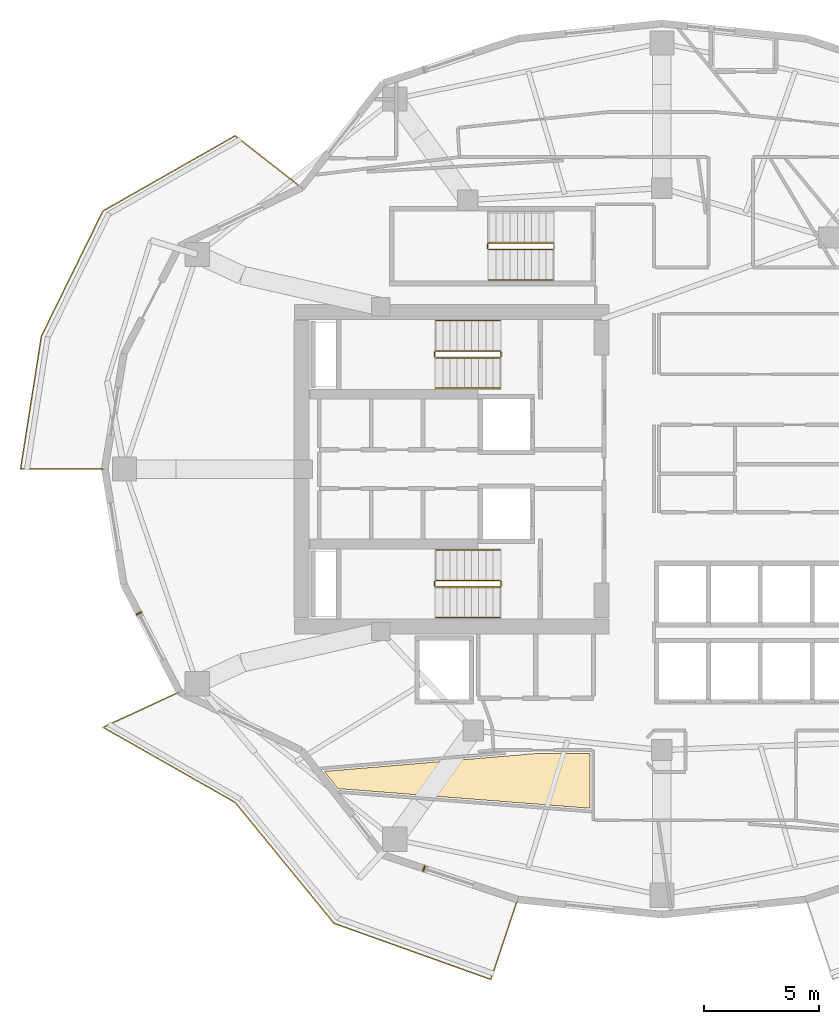
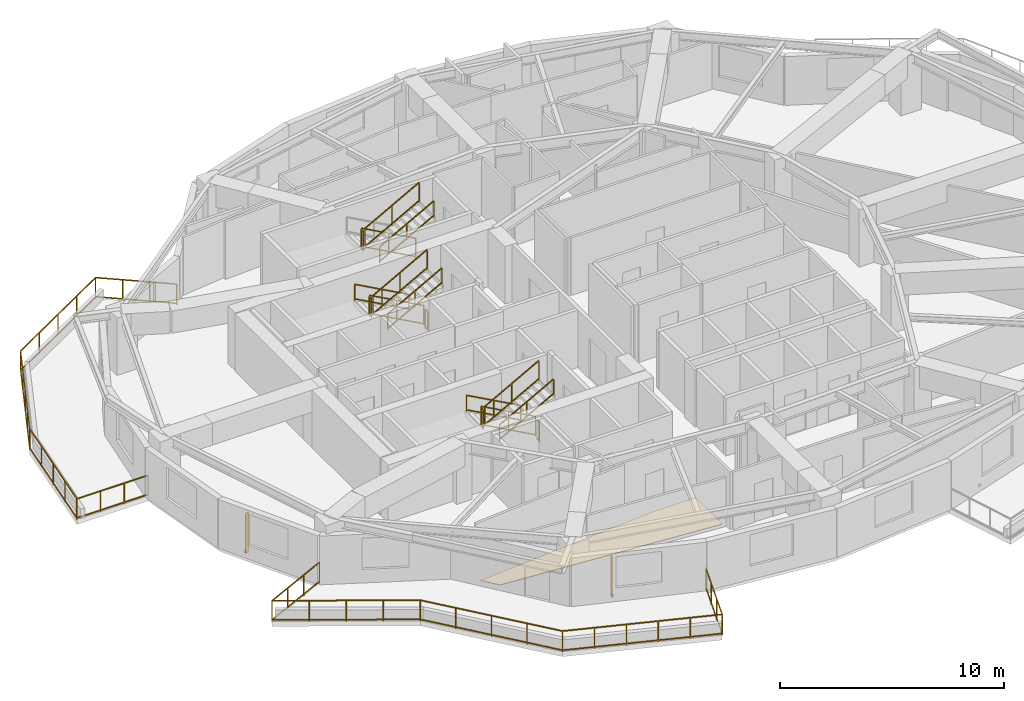
# One storey, part 9 of 12: 18 railings, 2 shading devices, 1 covering.
"""IFC4 building model written with IfcOpenShell, lengths in metres."""

from ifc_helpers import new_model, si_unit, direction, frame, origin, origin_2d, place, context, subcontext, project, spatial, polyline, rectangle, outline, extrude, material, layer, layer_set, type_object, element, save


model = new_model("IFC4")

# Units and contexts
model_context = context("Model", 3, precision=1e-05, world=origin(), true_north=direction((0.0, 1.0)))
body_context = subcontext(model_context, "Body", "Model", "MODEL_VIEW")
ifc_project = project(units=[si_unit("LENGTHUNIT", "METRE"), si_unit("AREAUNIT", "SQUARE_METRE"), si_unit("VOLUMEUNIT", "CUBIC_METRE"), si_unit("PLANEANGLEUNIT", "RADIAN"), si_unit("MASSUNIT", "GRAM", prefix="KILO")], contexts=[model_context])

# Site, building, storey
site_placement = place(None, origin())
site = spatial("IfcSite", under=ifc_project, at=site_placement, CompositionType="ELEMENT")
building_placement = place(site_placement, origin())
building = spatial("IfcBuilding", under=site, at=building_placement, Name="Kolvaren Gate Tower and Convention Centre", CompositionType="ELEMENT")
storey_placement = place(building_placement, frame((0.0, 0.0, 139.300048828125)))
storey = spatial("IfcBuildingStorey", under=building, at=storey_placement, Name="L35", CompositionType="ELEMENT", Elevation=139.300048828125)

# Covering
ifc_material_1 = material(Name="Honed Sabana Limestone Terrazzo Flooring 30 mm", Category="masonry")
ifc_layer = layer(ifc_material_1, 0.030029296875)
ifc_layer_set = layer_set([ifc_layer], Name="Honed Sabana Limestone Terrazzo Flooring 30 mm")
covering_type = type_object("IfcCoveringType", Name="ARCH-COV-FLR-30", PredefinedType="FLOORING", material=ifc_layer_set)
covering_placement = place(storey_placement, origin())
element("IfcCovering", 1, at=covering_placement, inside=storey, type_object=covering_type, Name="Hotel Sky Banquet Salon Interior Finish Flooring", PredefinedType="FLOORING", context=body_context, shape_type="SweptSolid", body=[
    extrude(outline(polyline([(16.052978515625, 13.126953125), (15.467041015625, 13.875), (24.77587890625, 14.659912109375), (27.010009765625, 14.659912109375), (27.010009765625, 12.27392578125), (16.052978515625, 13.126953125)])), origin(), (0.0, 0.0, 1.0), 0.030029296875),
])

# Railings
ifc_material_2 = material(Name="Brushed Stainless Steel Grade 316L", Category="steel")
railing_type_1 = type_object("IfcRailingType", Name="ARCH-RL-GUARD-1150", PredefinedType="GUARDRAIL", material=ifc_material_2)
railing_1_placement = place(storey_placement, frame((23.10009765625, 32.1298828125, 0.169921875)))
element("IfcRailing", 2, at=railing_1_placement, inside=storey, type_object=railing_type_1, Name="L35 ST-T1 stair guard 1", PredefinedType="GUARDRAIL", context=body_context, shape_type="SweptSolid", body=[
    extrude(rectangle(XDim=0.048095703125, YDim=0.048095703125, at=origin_2d()), frame((0.0, 0.0, 1.076171875), z_axis=(-0.876811365212, 0.0, 0.480834513982), x_axis=(0.0, -1.0, 0.0)), (0.0, 0.0, 1.0), 3.18212890625),
    extrude(rectangle(XDim=0.048095703125, YDim=0.048095703125, at=origin_2d()), frame((0.0, 0.0, 0.083984375), z_axis=(-0.876811365212, 0.0, 0.480834513982), x_axis=(0.0, -1.0, 0.0)), (0.0, 0.0, 1.0), 3.18212890625),
    extrude(rectangle(XDim=0.0419921875, YDim=0.0419921875, at=origin_2d()), origin(), (0.0, 0.0, 1.0), 1.050048828125),
    extrude(rectangle(XDim=0.0419921875, YDim=0.0419921875, at=origin_2d()), frame((-2.7900390625, 0.0, 1.530029296875)), (0.0, 0.0, 1.0), 1.050048828125),
    extrude(rectangle(XDim=0.0419921875, YDim=0.0419921875, at=origin_2d()), frame((-1.39501953125, 0.0, 0.76513671875)), (0.0, 0.0, 1.0), 1.050048828125),
])
railing_2_placement = place(storey_placement, frame((20.260009765625, 32.080078125, 1.699951171875)))
element("IfcRailing", 3, at=railing_2_placement, inside=storey, type_object=railing_type_1, Name="L35 ST-T1 stair guard 2", PredefinedType="GUARDRAIL", context=body_context, shape_type="SweptSolid", body=[
    extrude(rectangle(XDim=0.048095703125, YDim=0.048095703125, at=origin_2d()), frame((0.0, 0.0, 1.076171875), z_axis=(0.0, -1.0, 0.0), x_axis=(1.0, 0.0, 0.0)), (0.0, 0.0, 1.0), 0.2001953125),
    extrude(rectangle(XDim=0.048095703125, YDim=0.048095703125, at=origin_2d()), frame((0.0, 0.0, 0.083984375), z_axis=(0.0, -1.0, 0.0), x_axis=(1.0, 0.0, 0.0)), (0.0, 0.0, 1.0), 0.2001953125),
    extrude(rectangle(XDim=0.0419921875, YDim=0.0419921875, at=origin_2d()), origin(), (0.0, 0.0, 1.0), 1.050048828125),
    extrude(rectangle(XDim=0.0419921875, YDim=0.0419921875, at=origin_2d()), frame((0.0, -0.2001953125, 0.0)), (0.0, 0.0, 1.0), 1.050048828125),
])
railing_3_placement = place(storey_placement, frame((20.31005859375, 31.830078125, 1.869873046875)))
element("IfcRailing", 4, at=railing_3_placement, inside=storey, type_object=railing_type_1, Name="L35 ST-T1 stair guard 3", PredefinedType="GUARDRAIL", context=body_context, shape_type="SweptSolid", body=[
    extrude(rectangle(XDim=0.048095703125, YDim=0.048095703125, at=origin_2d()), frame((0.0, 0.0, 1.076171875), z_axis=(0.876811365212, 0.0, 0.480834513982), x_axis=(0.0, 1.0, 0.0)), (0.0, 0.0, 1.0), 3.18212890625),
    extrude(rectangle(XDim=0.048095703125, YDim=0.048095703125, at=origin_2d()), frame((0.0, 0.0, 0.083984375), z_axis=(0.876811365212, 0.0, 0.480834513982), x_axis=(0.0, 1.0, 0.0)), (0.0, 0.0, 1.0), 3.18212890625),
    extrude(rectangle(XDim=0.0419921875, YDim=0.0419921875, at=origin_2d()), origin(), (0.0, 0.0, 1.0), 1.050048828125),
    extrude(rectangle(XDim=0.0419921875, YDim=0.0419921875, at=origin_2d()), frame((2.7900390625, 0.0, 1.530029296875)), (0.0, 0.0, 1.0), 1.050048828125),
    extrude(rectangle(XDim=0.0419921875, YDim=0.0419921875, at=origin_2d()), frame((1.39501953125, 0.0, 0.76513671875)), (0.0, 0.0, 1.0), 1.050048828125),
])
railing_4_placement = place(storey_placement, frame((23.14990234375, 32.080078125, 0.0)))
element("IfcRailing", 5, at=railing_4_placement, inside=storey, type_object=railing_type_1, Name="L35 ST-T1 stair guard 4", PredefinedType="GUARDRAIL", context=body_context, shape_type="SweptSolid", body=[
    extrude(rectangle(XDim=0.048095703125, YDim=0.048095703125, at=origin_2d()), frame((0.0, 0.0, 1.076171875), z_axis=(0.0, -1.0, 0.0), x_axis=(1.0, 0.0, 0.0)), (0.0, 0.0, 1.0), 0.2001953125),
    extrude(rectangle(XDim=0.048095703125, YDim=0.048095703125, at=origin_2d()), frame((0.0, 0.0, 0.083984375), z_axis=(0.0, -1.0, 0.0), x_axis=(1.0, 0.0, 0.0)), (0.0, 0.0, 1.0), 0.2001953125),
    extrude(rectangle(XDim=0.0419921875, YDim=0.0419921875, at=origin_2d()), origin(), (0.0, 0.0, 1.0), 1.050048828125),
    extrude(rectangle(XDim=0.0419921875, YDim=0.0419921875, at=origin_2d()), frame((0.0, -0.2001953125, 0.0)), (0.0, 0.0, 1.0), 1.050048828125),
])
railing_5_placement = place(storey_placement, frame((23.10009765625, 22.169921875, 0.169921875)))
element("IfcRailing", 6, at=railing_5_placement, inside=storey, type_object=railing_type_1, Name="L35 ST-T2 stair guard 1", PredefinedType="GUARDRAIL", context=body_context, shape_type="SweptSolid", body=[
    extrude(rectangle(XDim=0.048095703125, YDim=0.048095703125, at=origin_2d()), frame((0.0, 0.0, 1.076171875), z_axis=(-0.876811365212, 0.0, 0.480834513982), x_axis=(0.0, -1.0, 0.0)), (0.0, 0.0, 1.0), 3.18212890625),
    extrude(rectangle(XDim=0.048095703125, YDim=0.048095703125, at=origin_2d()), frame((0.0, 0.0, 0.083984375), z_axis=(-0.876811365212, 0.0, 0.480834513982), x_axis=(0.0, -1.0, 0.0)), (0.0, 0.0, 1.0), 3.18212890625),
    extrude(rectangle(XDim=0.0419921875, YDim=0.0419921875, at=origin_2d()), origin(), (0.0, 0.0, 1.0), 1.050048828125),
    extrude(rectangle(XDim=0.0419921875, YDim=0.0419921875, at=origin_2d()), frame((-2.7900390625, 0.0, 1.530029296875)), (0.0, 0.0, 1.0), 1.050048828125),
    extrude(rectangle(XDim=0.0419921875, YDim=0.0419921875, at=origin_2d()), frame((-1.39501953125, 0.0, 0.76513671875)), (0.0, 0.0, 1.0), 1.050048828125),
])
railing_6_placement = place(storey_placement, frame((20.260009765625, 22.1201171875, 1.699951171875)))
element("IfcRailing", 7, at=railing_6_placement, inside=storey, type_object=railing_type_1, Name="L35 ST-T2 stair guard 2", PredefinedType="GUARDRAIL", context=body_context, shape_type="SweptSolid", body=[
    extrude(rectangle(XDim=0.048095703125, YDim=0.048095703125, at=origin_2d()), frame((0.0, 0.0, 1.076171875), z_axis=(0.0, -1.0, 0.0), x_axis=(1.0, 0.0, 0.0)), (0.0, 0.0, 1.0), 0.2001953125),
    extrude(rectangle(XDim=0.048095703125, YDim=0.048095703125, at=origin_2d()), frame((0.0, 0.0, 0.083984375), z_axis=(0.0, -1.0, 0.0), x_axis=(1.0, 0.0, 0.0)), (0.0, 0.0, 1.0), 0.2001953125),
    extrude(rectangle(XDim=0.0419921875, YDim=0.0419921875, at=origin_2d()), origin(), (0.0, 0.0, 1.0), 1.050048828125),
    extrude(rectangle(XDim=0.0419921875, YDim=0.0419921875, at=origin_2d()), frame((0.0, -0.2001953125, 0.0)), (0.0, 0.0, 1.0), 1.050048828125),
])
railing_7_placement = place(storey_placement, frame((20.31005859375, 21.8701171875, 1.869873046875)))
element("IfcRailing", 8, at=railing_7_placement, inside=storey, type_object=railing_type_1, Name="L35 ST-T2 stair guard 3", PredefinedType="GUARDRAIL", context=body_context, shape_type="SweptSolid", body=[
    extrude(rectangle(XDim=0.048095703125, YDim=0.048095703125, at=origin_2d()), frame((0.0, 0.0, 1.076171875), z_axis=(0.876811365212, 0.0, 0.480834513982), x_axis=(0.0, 1.0, 0.0)), (0.0, 0.0, 1.0), 3.18212890625),
    extrude(rectangle(XDim=0.048095703125, YDim=0.048095703125, at=origin_2d()), frame((0.0, 0.0, 0.083984375), z_axis=(0.876811365212, 0.0, 0.480834513982), x_axis=(0.0, 1.0, 0.0)), (0.0, 0.0, 1.0), 3.18212890625),
    extrude(rectangle(XDim=0.0419921875, YDim=0.0419921875, at=origin_2d()), origin(), (0.0, 0.0, 1.0), 1.050048828125),
    extrude(rectangle(XDim=0.0419921875, YDim=0.0419921875, at=origin_2d()), frame((2.7900390625, 0.0, 1.530029296875)), (0.0, 0.0, 1.0), 1.050048828125),
    extrude(rectangle(XDim=0.0419921875, YDim=0.0419921875, at=origin_2d()), frame((1.39501953125, 0.0, 0.76513671875)), (0.0, 0.0, 1.0), 1.050048828125),
])
railing_8_placement = place(storey_placement, frame((23.14990234375, 22.1201171875, 0.0)))
element("IfcRailing", 9, at=railing_8_placement, inside=storey, type_object=railing_type_1, Name="L35 ST-T2 stair guard 4", PredefinedType="GUARDRAIL", context=body_context, shape_type="SweptSolid", body=[
    extrude(rectangle(XDim=0.048095703125, YDim=0.048095703125, at=origin_2d()), frame((0.0, 0.0, 1.076171875), z_axis=(0.0, -1.0, 0.0), x_axis=(1.0, 0.0, 0.0)), (0.0, 0.0, 1.0), 0.2001953125),
    extrude(rectangle(XDim=0.048095703125, YDim=0.048095703125, at=origin_2d()), frame((0.0, 0.0, 0.083984375), z_axis=(0.0, -1.0, 0.0), x_axis=(1.0, 0.0, 0.0)), (0.0, 0.0, 1.0), 0.2001953125),
    extrude(rectangle(XDim=0.0419921875, YDim=0.0419921875, at=origin_2d()), origin(), (0.0, 0.0, 1.0), 1.050048828125),
    extrude(rectangle(XDim=0.0419921875, YDim=0.0419921875, at=origin_2d()), frame((0.0, -0.2001953125, 0.0)), (0.0, 0.0, 1.0), 1.050048828125),
])
railing_9_placement = place(storey_placement, frame((25.39990234375, 36.830078125, 0.169921875)))
element("IfcRailing", 10, at=railing_9_placement, inside=storey, type_object=railing_type_1, Name="L35 ST-T3 stair guard 1", PredefinedType="GUARDRAIL", context=body_context, shape_type="SweptSolid", body=[
    extrude(rectangle(XDim=0.048095703125, YDim=0.048095703125, at=origin_2d()), frame((0.0, 0.0, 1.076171875), z_axis=(-0.8767936245, 0.0, 0.480866863109), x_axis=(0.0, -1.0, 0.0)), (0.0, 0.0, 1.0), 3.181884765625),
    extrude(rectangle(XDim=0.048095703125, YDim=0.048095703125, at=origin_2d()), frame((0.0, 0.0, 0.083984375), z_axis=(-0.8767936245, 0.0, 0.480866863109), x_axis=(0.0, -1.0, 0.0)), (0.0, 0.0, 1.0), 3.181884765625),
    extrude(rectangle(XDim=0.0419921875, YDim=0.0419921875, at=origin_2d()), origin(), (0.0, 0.0, 1.0), 1.050048828125),
    extrude(rectangle(XDim=0.0419921875, YDim=0.0419921875, at=origin_2d()), frame((-2.789794921875, 0.0, 1.530029296875)), (0.0, 0.0, 1.0), 1.050048828125),
    extrude(rectangle(XDim=0.0419921875, YDim=0.0419921875, at=origin_2d()), frame((-1.39501953125, 0.0, 0.76513671875)), (0.0, 0.0, 1.0), 1.050048828125),
])
railing_10_placement = place(storey_placement, frame((22.56005859375, 36.780029296875, 1.699951171875)))
element("IfcRailing", 11, at=railing_10_placement, inside=storey, type_object=railing_type_1, Name="L35 ST-T3 stair guard 2", PredefinedType="GUARDRAIL", context=body_context, shape_type="SweptSolid", body=[
    extrude(rectangle(XDim=0.048095703125, YDim=0.048095703125, at=origin_2d()), frame((0.0, 0.0, 1.076171875), z_axis=(0.0, -1.0, 0.0), x_axis=(1.0, 0.0, 0.0)), (0.0, 0.0, 1.0), 0.199951171875),
    extrude(rectangle(XDim=0.048095703125, YDim=0.048095703125, at=origin_2d()), frame((0.0, 0.0, 0.083984375), z_axis=(0.0, -1.0, 0.0), x_axis=(1.0, 0.0, 0.0)), (0.0, 0.0, 1.0), 0.199951171875),
    extrude(rectangle(XDim=0.0419921875, YDim=0.0419921875, at=origin_2d()), origin(), (0.0, 0.0, 1.0), 1.050048828125),
    extrude(rectangle(XDim=0.0419921875, YDim=0.0419921875, at=origin_2d()), frame((0.0, -0.199951171875, 0.0)), (0.0, 0.0, 1.0), 1.050048828125),
])
railing_11_placement = place(storey_placement, frame((22.610107421875, 36.530029296875, 1.869873046875)))
element("IfcRailing", 12, at=railing_11_placement, inside=storey, type_object=railing_type_1, Name="L35 ST-T3 stair guard 3", PredefinedType="GUARDRAIL", context=body_context, shape_type="SweptSolid", body=[
    extrude(rectangle(XDim=0.048095703125, YDim=0.048095703125, at=origin_2d()), frame((0.0, 0.0, 1.076171875), z_axis=(0.8767936245, 0.0, 0.480866863109), x_axis=(0.0, 1.0, 0.0)), (0.0, 0.0, 1.0), 3.181884765625),
    extrude(rectangle(XDim=0.048095703125, YDim=0.048095703125, at=origin_2d()), frame((0.0, 0.0, 0.083984375), z_axis=(0.8767936245, 0.0, 0.480866863109), x_axis=(0.0, 1.0, 0.0)), (0.0, 0.0, 1.0), 3.181884765625),
    extrude(rectangle(XDim=0.0419921875, YDim=0.0419921875, at=origin_2d()), origin(), (0.0, 0.0, 1.0), 1.050048828125),
    extrude(rectangle(XDim=0.0419921875, YDim=0.0419921875, at=origin_2d()), frame((2.789794921875, 0.0, 1.530029296875)), (0.0, 0.0, 1.0), 1.050048828125),
    extrude(rectangle(XDim=0.0419921875, YDim=0.0419921875, at=origin_2d()), frame((1.39501953125, 0.0, 0.76513671875)), (0.0, 0.0, 1.0), 1.050048828125),
])
railing_12_placement = place(storey_placement, frame((14.481201171875, 39.222900390625, 0.0)))
element("IfcRailing", 13, at=railing_12_placement, inside=storey, type_object=railing_type_1, Name="Tower L35 Terrace Perimeter Guardrail GR-2", PredefinedType="GUARDRAIL", context=body_context, shape_type="SweptSolid", body=[
    extrude(rectangle(XDim=0.048095703125, YDim=0.048095703125, at=origin_2d()), frame((-0.022216796875, 0.017333984375, 1.1259765625), z_axis=(-0.787963688807, 0.615721710776, 0.0), x_axis=(-0.615721710776, -0.787963688807, 0.0)), (0.0, 0.0, 1.0), 3.603759765625),
    extrude(rectangle(XDim=0.048095703125, YDim=0.048095703125, at=origin_2d()), frame((-0.022216796875, 0.017333984375, 0.083984375), z_axis=(-0.787963688807, 0.615721710776, 0.0), x_axis=(-0.615721710776, -0.787963688807, 0.0)), (0.0, 0.0, 1.0), 3.603759765625),
    extrude(rectangle(XDim=0.048095703125, YDim=0.048095703125, at=origin_2d()), frame((-2.908203125, 2.239501953125, 1.1259765625), z_axis=(-0.869196694318, -0.494466486819, 0.0), x_axis=(0.494466486819, -0.869196694318, 0.0)), (0.0, 0.0, 1.0), 6.55029296875),
    extrude(rectangle(XDim=0.048095703125, YDim=0.048095703125, at=origin_2d()), frame((-2.908203125, 2.239501953125, 0.083984375), z_axis=(-0.869196694318, -0.494466486819, 0.0), x_axis=(0.494466486819, -0.869196694318, 0.0)), (0.0, 0.0, 1.0), 6.55029296875),
    extrude(rectangle(XDim=0.048095703125, YDim=0.048095703125, at=origin_2d()), frame((-8.638427734375, -1.038330078125, 1.1259765625), z_axis=(-0.441237167293, -0.897390529368, 0.0), x_axis=(0.897390529368, -0.441237167293, 0.0)), (0.0, 0.0, 1.0), 5.999755859375),
    extrude(rectangle(XDim=0.048095703125, YDim=0.048095703125, at=origin_2d()), frame((-8.638427734375, -1.038330078125, 0.083984375), z_axis=(-0.441237167293, -0.897390529368, 0.0), x_axis=(0.897390529368, -0.441237167293, 0.0)), (0.0, 0.0, 1.0), 5.999755859375),
    extrude(rectangle(XDim=0.048095703125, YDim=0.048095703125, at=origin_2d()), frame((-11.302490234375, -6.475341796875, 1.1259765625), z_axis=(-0.154903030247, -0.987929679289, 0.0), x_axis=(0.987929679289, -0.154903030247, 0.0)), (0.0, 0.0, 1.0), 5.78955078125),
    extrude(rectangle(XDim=0.048095703125, YDim=0.048095703125, at=origin_2d()), frame((-11.302490234375, -6.475341796875, 0.083984375), z_axis=(-0.154903030247, -0.987929679289, 0.0), x_axis=(0.987929679289, -0.154903030247, 0.0)), (0.0, 0.0, 1.0), 5.78955078125),
    extrude(rectangle(XDim=0.048095703125, YDim=0.048095703125, at=origin_2d()), frame((-12.175537109375, -12.222900390625, 1.1259765625), z_axis=(1.0, 0.0, 0.0), x_axis=(0.0, 1.0, 0.0)), (0.0, 0.0, 1.0), 3.603759765625),
    extrude(rectangle(XDim=0.048095703125, YDim=0.048095703125, at=origin_2d()), frame((-12.175537109375, -12.222900390625, 0.083984375), z_axis=(1.0, 0.0, 0.0), x_axis=(0.0, 1.0, 0.0)), (0.0, 0.0, 1.0), 3.603759765625),
    extrude(rectangle(XDim=0.0419921875, YDim=0.0419921875, at=origin_2d()), origin(), (0.0, 0.0, 1.0), 1.14990234375),
    extrude(rectangle(XDim=0.0419921875, YDim=0.0419921875, at=origin_2d()), frame((-2.8837890625, 2.25341796875, 0.0)), (0.0, 0.0, 1.0), 1.14990234375),
    extrude(rectangle(XDim=0.0419921875, YDim=0.0419921875, at=origin_2d()), frame((-0.961181640625, 0.751220703125, 0.0)), (0.0, 0.0, 1.0), 1.099853515625),
    extrude(rectangle(XDim=0.0419921875, YDim=0.0419921875, at=origin_2d()), frame((-1.922607421875, 1.502197265625, 0.0)), (0.0, 0.0, 1.0), 1.099853515625),
    extrude(rectangle(XDim=0.0419921875, YDim=0.0419921875, at=origin_2d()), frame((-8.6259765625, -1.01318359375, 0.0)), (0.0, 0.0, 1.0), 1.14990234375),
    extrude(rectangle(XDim=0.0419921875, YDim=0.0419921875, at=origin_2d()), frame((-4.3193359375, 1.436767578125, 0.0)), (0.0, 0.0, 1.0), 1.099853515625),
    extrude(rectangle(XDim=0.0419921875, YDim=0.0419921875, at=origin_2d()), frame((-5.7548828125, 0.6201171875, 0.0)), (0.0, 0.0, 1.0), 1.099853515625),
    extrude(rectangle(XDim=0.0419921875, YDim=0.0419921875, at=origin_2d()), frame((-7.1904296875, -0.196533203125, 0.0)), (0.0, 0.0, 1.0), 1.099853515625),
    extrude(rectangle(XDim=0.0419921875, YDim=0.0419921875, at=origin_2d()), frame((-11.298095703125, -6.44775390625, 0.0)), (0.0, 0.0, 1.0), 1.14990234375),
    extrude(rectangle(XDim=0.0419921875, YDim=0.0419921875, at=origin_2d()), frame((-9.2939453125, -2.371826171875, 0.0)), (0.0, 0.0, 1.0), 1.099853515625),
    extrude(rectangle(XDim=0.0419921875, YDim=0.0419921875, at=origin_2d()), frame((-9.9619140625, -3.73046875, 0.0)), (0.0, 0.0, 1.0), 1.099853515625),
    extrude(rectangle(XDim=0.0419921875, YDim=0.0419921875, at=origin_2d()), frame((-10.630126953125, -5.089111328125, 0.0)), (0.0, 0.0, 1.0), 1.099853515625),
    extrude(rectangle(XDim=0.0419921875, YDim=0.0419921875, at=origin_2d()), frame((-12.20361328125, -12.222900390625, 0.0)), (0.0, 0.0, 1.0), 1.14990234375),
    extrude(rectangle(XDim=0.0419921875, YDim=0.0419921875, at=origin_2d()), frame((-11.5244140625, -7.8916015625, 0.0)), (0.0, 0.0, 1.0), 1.099853515625),
    extrude(rectangle(XDim=0.0419921875, YDim=0.0419921875, at=origin_2d()), frame((-11.7509765625, -9.33544921875, 0.0)), (0.0, 0.0, 1.0), 1.099853515625),
    extrude(rectangle(XDim=0.0419921875, YDim=0.0419921875, at=origin_2d()), frame((-11.977294921875, -10.779052734375, 0.0)), (0.0, 0.0, 1.0), 1.099853515625),
    extrude(rectangle(XDim=0.0419921875, YDim=0.0419921875, at=origin_2d()), frame((-8.543701171875, -12.222900390625, 0.0)), (0.0, 0.0, 1.0), 1.14990234375),
    extrude(rectangle(XDim=0.0419921875, YDim=0.0419921875, at=origin_2d()), frame((-10.983642578125, -12.222900390625, 0.0)), (0.0, 0.0, 1.0), 1.099853515625),
    extrude(rectangle(XDim=0.0419921875, YDim=0.0419921875, at=origin_2d()), frame((-9.763671875, -12.222900390625, 0.0)), (0.0, 0.0, 1.0), 1.099853515625),
])
railing_13_placement = place(storey_placement, frame((9.177978515625, 17.324951171875, 0.0)))
element("IfcRailing", 14, at=railing_13_placement, inside=storey, type_object=railing_type_1, Name="Tower L35 Terrace Perimeter Guardrail GR-3", PredefinedType="GUARDRAIL", context=body_context, shape_type="SweptSolid", body=[
    extrude(rectangle(XDim=0.048095703125, YDim=0.048095703125, at=origin_2d()), frame((-0.025390625, -0.01171875, 1.1259765625), z_axis=(-0.907846116663, -0.419303503993, 0.0), x_axis=(0.419303503993, -0.907846116663, 0.0)), (0.0, 0.0, 1.0), 3.60400390625),
    extrude(rectangle(XDim=0.048095703125, YDim=0.048095703125, at=origin_2d()), frame((-0.025390625, -0.01171875, 0.083984375), z_axis=(-0.907846116663, -0.419303503993, 0.0), x_axis=(0.419303503993, -0.907846116663, 0.0)), (0.0, 0.0, 1.0), 3.60400390625),
    extrude(rectangle(XDim=0.048095703125, YDim=0.048095703125, at=origin_2d()), frame((-3.29833984375, -1.548583984375, 1.1259765625), z_axis=(0.869196694318, -0.494466486819, 0.0), x_axis=(0.494466486819, 0.869196694318, 0.0)), (0.0, 0.0, 1.0), 6.55029296875),
    extrude(rectangle(XDim=0.048095703125, YDim=0.048095703125, at=origin_2d()), frame((-3.29833984375, -1.548583984375, 0.083984375), z_axis=(0.869196694318, -0.494466486819, 0.0), x_axis=(0.494466486819, 0.869196694318, 0.0)), (0.0, 0.0, 1.0), 6.55029296875),
    extrude(rectangle(XDim=0.048095703125, YDim=0.048095703125, at=origin_2d()), frame((2.437255859375, -4.822998046875, 1.1259765625), z_axis=(0.633002467947, -0.77414977593, 0.0), x_axis=(0.77414977593, 0.633002467947, 0.0)), (0.0, 0.0, 1.0), 6.724365234375),
    extrude(rectangle(XDim=0.048095703125, YDim=0.048095703125, at=origin_2d()), frame((2.437255859375, -4.822998046875, 0.083984375), z_axis=(0.633002467947, -0.77414977593, 0.0), x_axis=(0.77414977593, 0.633002467947, 0.0)), (0.0, 0.0, 1.0), 6.724365234375),
    extrude(rectangle(XDim=0.048095703125, YDim=0.048095703125, at=origin_2d()), frame((6.73779296875, -10.059814453125, 1.1259765625), z_axis=(0.941628873241, -0.336652736627, 0.0), x_axis=(0.336652736627, 0.941628873241, 0.0)), (0.0, 0.0, 1.0), 7.17919921875),
    extrude(rectangle(XDim=0.048095703125, YDim=0.048095703125, at=origin_2d()), frame((6.73779296875, -10.059814453125, 0.083984375), z_axis=(0.941628873241, -0.336652736627, 0.0), x_axis=(0.336652736627, 0.941628873241, 0.0)), (0.0, 0.0, 1.0), 7.17919921875),
    extrude(rectangle(XDim=0.048095703125, YDim=0.048095703125, at=origin_2d()), frame((13.533203125, -12.45947265625, 1.1259765625), z_axis=(0.317588247294, 0.948228719867, 0.0), x_axis=(-0.948228719867, 0.317588247294, 0.0)), (0.0, 0.0, 1.0), 3.603759765625),
    extrude(rectangle(XDim=0.048095703125, YDim=0.048095703125, at=origin_2d()), frame((13.533203125, -12.45947265625, 0.083984375), z_axis=(0.317588247294, 0.948228719867, 0.0), x_axis=(-0.948228719867, 0.317588247294, 0.0)), (0.0, 0.0, 1.0), 3.603759765625),
    extrude(rectangle(XDim=0.0419921875, YDim=0.0419921875, at=origin_2d()), origin(), (0.0, 0.0, 1.0), 1.14990234375),
    extrude(rectangle(XDim=0.0419921875, YDim=0.0419921875, at=origin_2d()), frame((-3.32275390625, -1.53466796875, 0.0)), (0.0, 0.0, 1.0), 1.14990234375),
    extrude(rectangle(XDim=0.0419921875, YDim=0.0419921875, at=origin_2d()), frame((-1.107666015625, -0.511474609375, 0.0)), (0.0, 0.0, 1.0), 1.099853515625),
    extrude(rectangle(XDim=0.0419921875, YDim=0.0419921875, at=origin_2d()), frame((-2.215087890625, -1.023193359375, 0.0)), (0.0, 0.0, 1.0), 1.099853515625),
    extrude(rectangle(XDim=0.0419921875, YDim=0.0419921875, at=origin_2d()), frame((2.41943359375, -4.80126953125, 0.0)), (0.0, 0.0, 1.0), 1.14990234375),
    extrude(rectangle(XDim=0.0419921875, YDim=0.0419921875, at=origin_2d()), frame((-1.88720703125, -2.351318359375, 0.0)), (0.0, 0.0, 1.0), 1.099853515625),
    extrude(rectangle(XDim=0.0419921875, YDim=0.0419921875, at=origin_2d()), frame((-0.45166015625, -3.16796875, 0.0)), (0.0, 0.0, 1.0), 1.099853515625),
    extrude(rectangle(XDim=0.0419921875, YDim=0.0419921875, at=origin_2d()), frame((0.98388671875, -3.984619140625, 0.0)), (0.0, 0.0, 1.0), 1.099853515625),
    extrude(rectangle(XDim=0.0419921875, YDim=0.0419921875, at=origin_2d()), frame((6.71142578125, -10.05029296875, 0.0)), (0.0, 0.0, 1.0), 1.14990234375),
    extrude(rectangle(XDim=0.0419921875, YDim=0.0419921875, at=origin_2d()), frame((3.492431640625, -6.113525390625, 0.0)), (0.0, 0.0, 1.0), 1.099853515625),
    extrude(rectangle(XDim=0.0419921875, YDim=0.0419921875, at=origin_2d()), frame((4.5654296875, -7.42578125, 0.0)), (0.0, 0.0, 1.0), 1.099853515625),
    extrude(rectangle(XDim=0.0419921875, YDim=0.0419921875, at=origin_2d()), frame((5.638427734375, -8.738037109375, 0.0)), (0.0, 0.0, 1.0), 1.099853515625),
    extrude(rectangle(XDim=0.0419921875, YDim=0.0419921875, at=origin_2d()), frame((13.5244140625, -12.486083984375, 0.0)), (0.0, 0.0, 1.0), 1.14990234375),
    extrude(rectangle(XDim=0.0419921875, YDim=0.0419921875, at=origin_2d()), frame((8.073974609375, -10.537353515625, 0.0)), (0.0, 0.0, 1.0), 1.099853515625),
    extrude(rectangle(XDim=0.0419921875, YDim=0.0419921875, at=origin_2d()), frame((9.4365234375, -11.024658203125, 0.0)), (0.0, 0.0, 1.0), 1.099853515625),
    extrude(rectangle(XDim=0.0419921875, YDim=0.0419921875, at=origin_2d()), frame((10.79931640625, -11.51171875, 0.0)), (0.0, 0.0, 1.0), 1.099853515625),
    extrude(rectangle(XDim=0.0419921875, YDim=0.0419921875, at=origin_2d()), frame((12.161865234375, -11.9990234375, 0.0)), (0.0, 0.0, 1.0), 1.099853515625),
    extrude(rectangle(XDim=0.0419921875, YDim=0.0419921875, at=origin_2d()), frame((14.686767578125, -9.015625, 0.0)), (0.0, 0.0, 1.0), 1.14990234375),
    extrude(rectangle(XDim=0.0419921875, YDim=0.0419921875, at=origin_2d()), frame((13.911865234375, -11.329345703125, 0.0)), (0.0, 0.0, 1.0), 1.099853515625),
    extrude(rectangle(XDim=0.0419921875, YDim=0.0419921875, at=origin_2d()), frame((14.29931640625, -10.17236328125, 0.0)), (0.0, 0.0, 1.0), 1.099853515625),
])
railing_type_2 = type_object("IfcRailingType", Name="ARCH-RL-HANDRAIL-920", PredefinedType="HANDRAIL", material=ifc_material_2)
railing_14_placement = place(storey_placement, frame((23.10009765625, 33.449951171875, 0.169921875)))
element("IfcRailing", 15, at=railing_14_placement, inside=storey, type_object=railing_type_2, Name="L35 ST-T1 stair handrail 1", PredefinedType="HANDRAIL", context=body_context, shape_type="SweptSolid", body=[
    extrude(rectangle(XDim=0.048095703125, YDim=0.048095703125, at=origin_2d()), frame((0.0, 0.0, 0.8759765625), z_axis=(-0.876811365212, 0.0, 0.480834513982), x_axis=(0.0, -1.0, 0.0)), (0.0, 0.0, 1.0), 3.18212890625),
    extrude(rectangle(XDim=0.048095703125, YDim=0.048095703125, at=origin_2d()), frame((0.0, 0.0, 0.083984375), z_axis=(-0.876811365212, 0.0, 0.480834513982), x_axis=(0.0, -1.0, 0.0)), (0.0, 0.0, 1.0), 3.18212890625),
    extrude(rectangle(XDim=0.0419921875, YDim=0.0419921875, at=origin_2d()), origin(), (0.0, 0.0, 1.0), 0.849853515625),
    extrude(rectangle(XDim=0.0419921875, YDim=0.0419921875, at=origin_2d()), frame((-2.7900390625, 0.0, 1.530029296875)), (0.0, 0.0, 1.0), 0.849853515625),
    extrude(rectangle(XDim=0.0419921875, YDim=0.0419921875, at=origin_2d()), frame((-1.39501953125, 0.0, 0.76513671875)), (0.0, 0.0, 1.0), 0.849853515625),
])
railing_15_placement = place(storey_placement, frame((20.31005859375, 30.510009765625, 1.869873046875)))
element("IfcRailing", 16, at=railing_15_placement, inside=storey, type_object=railing_type_2, Name="L35 ST-T1 stair handrail 2", PredefinedType="HANDRAIL", context=body_context, shape_type="SweptSolid", body=[
    extrude(rectangle(XDim=0.048095703125, YDim=0.048095703125, at=origin_2d()), frame((0.0, 0.0, 0.8759765625), z_axis=(0.876811365212, 0.0, 0.480834513982), x_axis=(0.0, 1.0, 0.0)), (0.0, 0.0, 1.0), 3.18212890625),
    extrude(rectangle(XDim=0.048095703125, YDim=0.048095703125, at=origin_2d()), frame((0.0, 0.0, 0.083984375), z_axis=(0.876811365212, 0.0, 0.480834513982), x_axis=(0.0, 1.0, 0.0)), (0.0, 0.0, 1.0), 3.18212890625),
    extrude(rectangle(XDim=0.0419921875, YDim=0.0419921875, at=origin_2d()), origin(), (0.0, 0.0, 1.0), 0.849853515625),
    extrude(rectangle(XDim=0.0419921875, YDim=0.0419921875, at=origin_2d()), frame((2.7900390625, 0.0, 1.530029296875)), (0.0, 0.0, 1.0), 0.849853515625),
    extrude(rectangle(XDim=0.0419921875, YDim=0.0419921875, at=origin_2d()), frame((1.39501953125, 0.0, 0.76513671875)), (0.0, 0.0, 1.0), 0.849853515625),
])
railing_16_placement = place(storey_placement, frame((23.10009765625, 23.489990234375, 0.169921875)))
element("IfcRailing", 17, at=railing_16_placement, inside=storey, type_object=railing_type_2, Name="L35 ST-T2 stair handrail 1", PredefinedType="HANDRAIL", context=body_context, shape_type="SweptSolid", body=[
    extrude(rectangle(XDim=0.048095703125, YDim=0.048095703125, at=origin_2d()), frame((0.0, 0.0, 0.8759765625), z_axis=(-0.876811365212, 0.0, 0.480834513982), x_axis=(0.0, -1.0, 0.0)), (0.0, 0.0, 1.0), 3.18212890625),
    extrude(rectangle(XDim=0.048095703125, YDim=0.048095703125, at=origin_2d()), frame((0.0, 0.0, 0.083984375), z_axis=(-0.876811365212, 0.0, 0.480834513982), x_axis=(0.0, -1.0, 0.0)), (0.0, 0.0, 1.0), 3.18212890625),
    extrude(rectangle(XDim=0.0419921875, YDim=0.0419921875, at=origin_2d()), origin(), (0.0, 0.0, 1.0), 0.849853515625),
    extrude(rectangle(XDim=0.0419921875, YDim=0.0419921875, at=origin_2d()), frame((-2.7900390625, 0.0, 1.530029296875)), (0.0, 0.0, 1.0), 0.849853515625),
    extrude(rectangle(XDim=0.0419921875, YDim=0.0419921875, at=origin_2d()), frame((-1.39501953125, 0.0, 0.76513671875)), (0.0, 0.0, 1.0), 0.849853515625),
])
railing_17_placement = place(storey_placement, frame((20.31005859375, 20.550048828125, 1.869873046875)))
element("IfcRailing", 18, at=railing_17_placement, inside=storey, type_object=railing_type_2, Name="L35 ST-T2 stair handrail 2", PredefinedType="HANDRAIL", context=body_context, shape_type="SweptSolid", body=[
    extrude(rectangle(XDim=0.048095703125, YDim=0.048095703125, at=origin_2d()), frame((0.0, 0.0, 0.8759765625), z_axis=(0.876811365212, 0.0, 0.480834513982), x_axis=(0.0, 1.0, 0.0)), (0.0, 0.0, 1.0), 3.18212890625),
    extrude(rectangle(XDim=0.048095703125, YDim=0.048095703125, at=origin_2d()), frame((0.0, 0.0, 0.083984375), z_axis=(0.876811365212, 0.0, 0.480834513982), x_axis=(0.0, 1.0, 0.0)), (0.0, 0.0, 1.0), 3.18212890625),
    extrude(rectangle(XDim=0.0419921875, YDim=0.0419921875, at=origin_2d()), origin(), (0.0, 0.0, 1.0), 0.849853515625),
    extrude(rectangle(XDim=0.0419921875, YDim=0.0419921875, at=origin_2d()), frame((2.7900390625, 0.0, 1.530029296875)), (0.0, 0.0, 1.0), 0.849853515625),
    extrude(rectangle(XDim=0.0419921875, YDim=0.0419921875, at=origin_2d()), frame((1.39501953125, 0.0, 0.76513671875)), (0.0, 0.0, 1.0), 0.849853515625),
])
railing_18_placement = place(storey_placement, frame((22.610107421875, 35.2099609375, 1.869873046875)))
element("IfcRailing", 19, at=railing_18_placement, inside=storey, type_object=railing_type_2, Name="L35 ST-T3 stair handrail 2", PredefinedType="HANDRAIL", context=body_context, shape_type="SweptSolid", body=[
    extrude(rectangle(XDim=0.048095703125, YDim=0.048095703125, at=origin_2d()), frame((0.0, 0.0, 0.8759765625), z_axis=(0.8767936245, 0.0, 0.480866863109), x_axis=(0.0, 1.0, 0.0)), (0.0, 0.0, 1.0), 3.181884765625),
    extrude(rectangle(XDim=0.048095703125, YDim=0.048095703125, at=origin_2d()), frame((0.0, 0.0, 0.083984375), z_axis=(0.8767936245, 0.0, 0.480866863109), x_axis=(0.0, 1.0, 0.0)), (0.0, 0.0, 1.0), 3.181884765625),
    extrude(rectangle(XDim=0.0419921875, YDim=0.0419921875, at=origin_2d()), origin(), (0.0, 0.0, 1.0), 0.849853515625),
    extrude(rectangle(XDim=0.0419921875, YDim=0.0419921875, at=origin_2d()), frame((2.789794921875, 0.0, 1.530029296875)), (0.0, 0.0, 1.0), 0.849853515625),
    extrude(rectangle(XDim=0.0419921875, YDim=0.0419921875, at=origin_2d()), frame((1.39501953125, 0.0, 0.76513671875)), (0.0, 0.0, 1.0), 0.849853515625),
])

# Shading devices
ifc_material_3 = material(Name="Kiln-Fired Bogota Terracotta Ceramic Louvre Profile", Category="masonry")
shading_device_type = type_object("IfcShadingDeviceType", Name="ARCH-SHD-FIN-180", PredefinedType="JALOUSIE", material=ifc_material_3)
for number, where, z_axis, x_axis, name in (
    (20, (7.413818359375, 20.732666015625, 0.219970703125), (0.0, 0.0, 1.0), (0.459781360558, -0.888032150591, 0.0), "Ceramic Vertical Brise-Soleil Fin FN-L35-13"),
    (21, (19.799560546875, 9.656494140625, 0.219970703125), (0.0, 0.0, 1.0), (0.949240081615, -0.314552487599, 0.0), "Ceramic Vertical Brise-Soleil Fin FN-L35-16"),
):
    element("IfcShadingDevice", number, at=place(storey_placement, frame(where, z_axis=z_axis, x_axis=x_axis)), inside=storey, type_object=shading_device_type, Name=name, PredefinedType="JALOUSIE", context=body_context, shape_type="SweptSolid", body=[
        extrude(rectangle(XDim=0.06005859375, YDim=0.239990234375, at=origin_2d()), origin(), (0.0, 0.0, 1.0), 2.14990234375),
    ])

save(model, "model.ifc")
